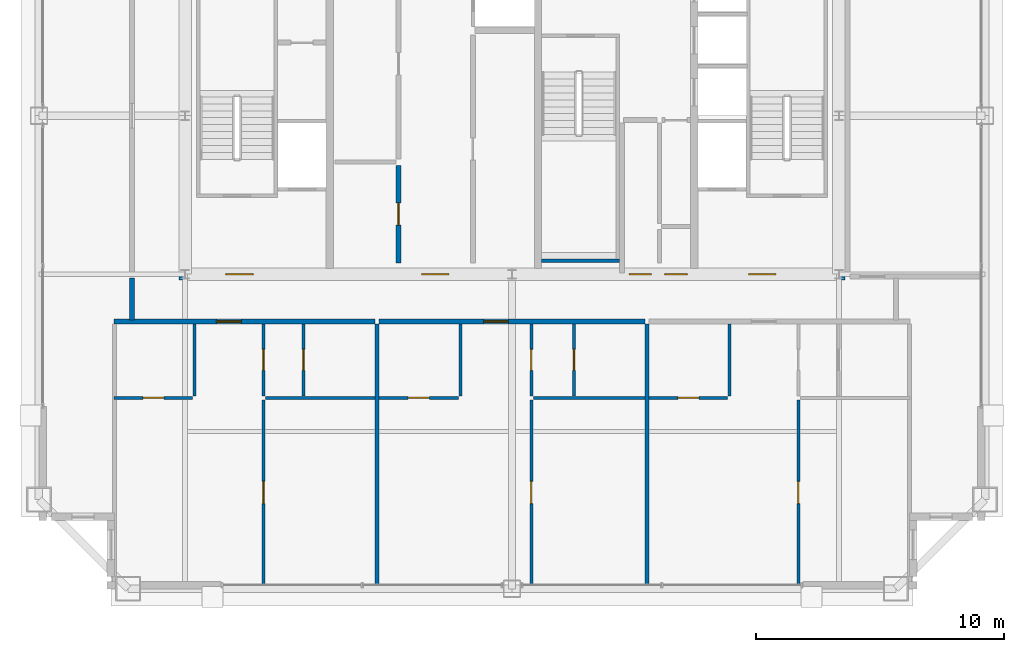
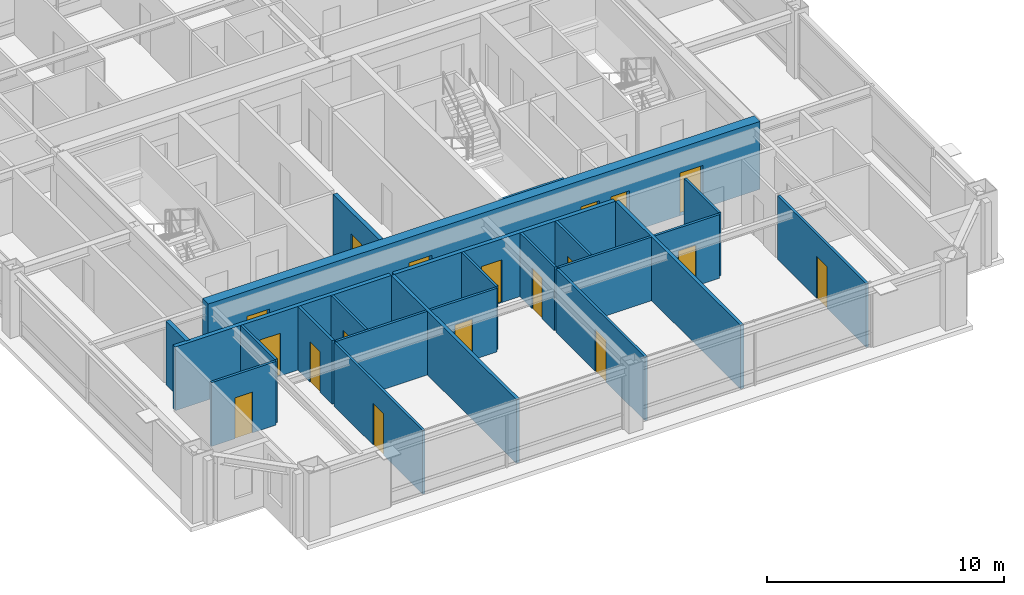
# One storey, part 30 of 35: 23 walls, 18 doors, 18 openings.
"""IFC4 building model written with IfcOpenShell, lengths in metres."""

import ifcopenshell
import ifcopenshell.guid

model = None  # the IFC model being written
_history = None  # IfcOwnerHistory: only IFC2X3 demands one
_inside = {}  # id of a spatial element -> (the spatial element, [elements in it])
_under = {}  # id of a project, library or spatial element -> (it, [spatial elements below it])
_declared = {}  # id of a project -> (the project, [libraries it declares])
_typed = {}  # id of a type object -> (the type object, [elements of that type])
_made_of = {}  # id of a material, layer set ... -> (it, [elements and type objects made of it])


def new_model(schema):
    """Start an empty IFC model of exactly this schema.

    Asked for "IFC4X3", IfcOpenShell would pick the latest addendum, in which some entities
    have other attributes; the version numbers below select the first issue.
    IFC2X3 requires an IfcOwnerHistory on every rooted entity: one is made here for all.
    """
    global model, _history
    if schema == "IFC4X3":
        model = ifcopenshell.file(schema_version=(4, 3, 0, 0))
    else:
        model = ifcopenshell.file(schema=schema)
    _inside.clear()
    _under.clear()
    _declared.clear()
    _typed.clear()
    _made_of.clear()
    _history = None
    if model.schema == "IFC2X3":
        org = make("IfcOrganization", Name="unknown")
        user = make(
            "IfcPersonAndOrganization",
            ThePerson=make("IfcPerson", FamilyName="unknown"),
            TheOrganization=org,
        )
        app = make(
            "IfcApplication",
            ApplicationDeveloper=org,
            Version="unknown",
            ApplicationFullName="unknown",
            ApplicationIdentifier="unknown",
        )
        _history = make(
            "IfcOwnerHistory",
            OwningUser=user,
            OwningApplication=app,
            ChangeAction="ADDED",
            CreationDate=0,
        )
    return model


def make(cls, **values):
    """One entity of the class cls with the attributes given. An attribute that is None is left unset."""
    return model.create_entity(
        cls, **{name: value for name, value in values.items() if value is not None}
    )


def rooted(cls, **values):
    """An entity with a GlobalId (a new one), such as an element, a storey or a relation."""
    return make(cls, GlobalId=ifcopenshell.guid.new(), OwnerHistory=_history, **values)


def si_unit(unit_type, name, prefix=None):
    """IfcSIUnit, for example si_unit("LENGTHUNIT", "METRE", prefix="MILLI")."""
    return make("IfcSIUnit", UnitType=unit_type, Prefix=prefix, Name=name)


def assignment(units):
    """IfcUnitAssignment: the units of a project."""
    return None if units is None else make("IfcUnitAssignment", Units=units)


def point(xyz):
    """IfcCartesianPoint."""
    return None if xyz is None else make("IfcCartesianPoint", Coordinates=xyz)


def direction(xyz):
    """IfcDirection."""
    return None if xyz is None else make("IfcDirection", DirectionRatios=xyz)


def frame(location, z_axis=None, x_axis=None):
    """IfcAxis2Placement3D, a coordinate frame: its origin and axes. An axis left out is left unset."""
    return make(
        "IfcAxis2Placement3D",
        Location=point(location),
        Axis=direction(z_axis),
        RefDirection=direction(x_axis),
    )


def frame_2d(location, x_axis=None):
    """IfcAxis2Placement2D, a coordinate frame in the plane: its origin and x axis."""
    return make(
        "IfcAxis2Placement2D", Location=point(location), RefDirection=direction(x_axis)
    )


def origin():
    """The frame at (0, 0, 0) with its axes left unset."""
    return frame((0.0, 0.0, 0.0))


def place(relative_to, where):
    """IfcLocalPlacement: puts the frame where relative to a parent placement (None: the world)."""
    return make(
        "IfcLocalPlacement", PlacementRelTo=relative_to, RelativePlacement=where
    )


def context(
    kind, dimensions, precision=None, world=None, true_north=None, identifier=None
):
    """IfcGeometricRepresentationContext, for example the 3D "Model" context."""
    return make(
        "IfcGeometricRepresentationContext",
        ContextIdentifier=identifier,
        ContextType=kind,
        CoordinateSpaceDimension=dimensions,
        Precision=precision,
        WorldCoordinateSystem=world,
        TrueNorth=true_north,
    )


def subcontext(parent, identifier, kind, view, scale=None):
    """IfcGeometricRepresentationSubContext, for example "Body" below "Model"."""
    return make(
        "IfcGeometricRepresentationSubContext",
        ContextIdentifier=identifier,
        ContextType=kind,
        ParentContext=parent,
        TargetScale=scale,
        TargetView=view,
    )


def project(units=None, contexts=None):
    """IfcProject with its units and contexts."""
    return rooted(
        "IfcProject",
        Name="project",
        RepresentationContexts=contexts,
        UnitsInContext=assignment(units),
    )


def spatial(cls, under=None, at=None, **own):
    """A site, building, storey or space (cls), placed at a placement, below another one or the project."""
    s = rooted(cls, ObjectPlacement=at, **own)
    if under is not None:
        _under.setdefault(under.id(), (under, []))[1].append(s)
    return s


def profile(cls, at=None, kind="AREA", **sizes):
    """A parametric profile (cls). Its sizes go by their IFC names, for example OverallWidth=200.0."""
    return make(cls, ProfileType=kind, Position=at, **sizes)


def rectangle(**sizes):
    """IfcRectangleProfileDef."""
    return profile("IfcRectangleProfileDef", **sizes)


def extrude(swept, where, along, depth):
    """IfcExtrudedAreaSolid: the profile swept, set in the frame where, extruded along a direction by depth."""
    return make(
        "IfcExtrudedAreaSolid",
        SweptArea=swept,
        Position=where,
        ExtrudedDirection=direction(along),
        Depth=depth,
    )


def shape(context_of_items, identifier, shape_type, items):
    """IfcShapeRepresentation: the items that make up one representation, for example the "Body"."""
    return make(
        "IfcShapeRepresentation",
        ContextOfItems=context_of_items,
        RepresentationIdentifier=identifier,
        RepresentationType=shape_type,
        Items=items,
    )


def source(mapping_origin, context_of_items, identifier, shape_type, items):
    """IfcRepresentationMap: a shape defined once, which mapped items show again and again."""
    return make(
        "IfcRepresentationMap",
        MappingOrigin=mapping_origin,
        MappedRepresentation=shape(context_of_items, identifier, shape_type, items),
    )


def transform(
    local_origin,
    x_axis=None,
    y_axis=None,
    z_axis=None,
    scale=None,
    scale2=None,
    scale3=None,
    uniform=True,
):
    """IfcCartesianTransformationOperator3D, or its non-uniform kind. x_axis, y_axis, z_axis: its Axis1, 2, 3."""
    if uniform:
        return make(
            "IfcCartesianTransformationOperator3D",
            Axis1=direction(x_axis),
            Axis2=direction(y_axis),
            LocalOrigin=point(local_origin),
            Scale=scale,
            Axis3=direction(z_axis),
        )
    return make(
        "IfcCartesianTransformationOperator3DnonUniform",
        Axis1=direction(x_axis),
        Axis2=direction(y_axis),
        LocalOrigin=point(local_origin),
        Scale=scale,
        Axis3=direction(z_axis),
        Scale2=scale2,
        Scale3=scale3,
    )


def mapped(mapping_source, mapping_target):
    """IfcMappedItem: shows the shape of a source again, moved by a transform."""
    return make(
        "IfcMappedItem", MappingSource=mapping_source, MappingTarget=mapping_target
    )


def material(Name=None, Category=None):
    """IfcMaterial."""
    return make("IfcMaterial", Name=Name, Category=Category)


def layer(
    of_material, thickness, ventilated=None, Name=None, Category=None, Priority=None
):
    """IfcMaterialLayer: one layer of a wall or slab, of a material (None: an air gap)."""
    return make(
        "IfcMaterialLayer",
        Material=of_material,
        LayerThickness=thickness,
        IsVentilated=ventilated,
        Name=Name,
        Category=Category,
        Priority=Priority,
    )


def layer_set(layers, Name=None):
    """IfcMaterialLayerSet."""
    return make("IfcMaterialLayerSet", MaterialLayers=layers, LayerSetName=Name)


def made_of(thing, what):
    """Note that an element or type object is made of a material, layer set ...; save() writes the relation."""
    if what is not None:
        _made_of.setdefault(what.id(), (what, []))[1].append(thing)
    return thing


def type_object(cls, material=None, **own):
    """A type object (cls), such as IfcWallType, which elements share."""
    return made_of(rooted(cls, **own), material)


def element(
    cls,
    number,
    at=None,
    inside=None,
    cuts=None,
    type_object=None,
    material=None,
    context=None,
    identifier="Body",
    shape_type=None,
    held_by="IfcProductDefinitionShape",
    body=None,
    shapes=None,
    **own,
):
    """One element of the class cls, such as IfcWall. Its Tag is "e" and its number.

    at: its placement. inside: the storey or other place that contains it. cuts: it is an
    opening in that element (IfcRelVoidsElement). A single representation is given by context,
    identifier, shape_type and body (its items); several are given by shapes. held_by: the class
    of the entity that holds the representations. save() writes the other relations.
    """
    e = rooted(cls, Tag="e%d" % number, ObjectPlacement=at, **own)
    if body is not None:
        shapes = [shape(context, identifier, shape_type, body)]
    if shapes is not None:
        e.Representation = make(held_by, Representations=shapes)
    if inside is not None:
        _inside.setdefault(inside.id(), (inside, []))[1].append(e)
    if cuts is not None:
        rooted(
            "IfcRelVoidsElement", RelatingBuildingElement=cuts, RelatedOpeningElement=e
        )
    if type_object is not None:
        _typed.setdefault(type_object.id(), (type_object, []))[1].append(e)
    return made_of(e, material)


def fill(opening, filler):
    """IfcRelFillsElement: the door or window that sits in an opening."""
    return rooted(
        "IfcRelFillsElement",
        RelatingOpeningElement=opening,
        RelatedBuildingElement=filler,
    )


def aggregate(whole, parts):
    """IfcRelAggregates: a whole, such as a stair, and the parts it consists of."""
    return rooted("IfcRelAggregates", RelatingObject=whole, RelatedObjects=parts)


def save(model, path):
    """Write the relations noted so far, then the file.

    IfcRelAggregates (storeys below a building ...), IfcRelContainedInSpatialStructure (elements
    in a storey), IfcRelDefinesByType, IfcRelAssociatesMaterial and IfcRelDeclares: one each for
    every whole, place, type object, material and project.
    """
    for whole, parts in _under.values():
        aggregate(whole, parts)
    for where, things in _inside.values():
        rooted(
            "IfcRelContainedInSpatialStructure",
            RelatedElements=things,
            RelatingStructure=where,
        )
    for kind, things in _typed.values():
        rooted("IfcRelDefinesByType", RelatedObjects=things, RelatingType=kind)
    for what, things in _made_of.values():
        rooted("IfcRelAssociatesMaterial", RelatedObjects=things, RelatingMaterial=what)
    for by, libraries in _declared.values():
        rooted("IfcRelDeclares", RelatingContext=by, RelatedDefinitions=libraries)
    model.write(path)


model = new_model("IFC4")

# Units and contexts
model_context = context("Model", 3, precision=1e-05, world=origin(), true_north=direction((0.0, 1.0)))
body_context = subcontext(model_context, "Body", "Model", "MODEL_VIEW")
ifc_project = project(units=[si_unit("LENGTHUNIT", "METRE"), si_unit("AREAUNIT", "SQUARE_METRE"), si_unit("VOLUMEUNIT", "CUBIC_METRE"), si_unit("PLANEANGLEUNIT", "RADIAN"), si_unit("MASSUNIT", "GRAM", prefix="KILO"), si_unit("THERMODYNAMICTEMPERATUREUNIT", "KELVIN"), si_unit("POWERUNIT", "WATT")], contexts=[model_context])

# Site, building, storey
site_placement = place(None, origin())
site = spatial("IfcSite", under=ifc_project, at=site_placement, CompositionType="ELEMENT")
building_placement = place(site_placement, origin())
building = spatial("IfcBuilding", under=site, at=building_placement, Name="Yuzanri Waterfront Tower", CompositionType="ELEMENT")
storey_placement = place(building_placement, frame((0.0, 0.0, 289.10009765625)))
storey = spatial("IfcBuildingStorey", under=building, at=storey_placement, Name="L77", CompositionType="ELEMENT", Elevation=289.10009765625)

# Wall, opening, door
ifc_material_1 = material(Name="Moisture-Resistant Gypsum Stud Wall", Category="gypsum")
ifc_layer_1 = layer(ifc_material_1, 0.1201171875)
ifc_layer_set_1 = layer_set([ifc_layer_1], Name="Moisture-Resistant Gypsum Stud Wall")
wall_type_1 = type_object("IfcWallType", Name="Bathroom and Kitchen Wet Partition 120", PredefinedType="PARTITIONING", material=ifc_layer_set_1)
wall_1_placement = place(storey_placement, frame((20.93994140625, 14.409912109375, 0.0), z_axis=(0.0, 0.0, 1.0), x_axis=(1.0, 0.0, 0.0)))
wall_1 = element("IfcWall", 1, at=wall_1_placement, inside=storey, type_object=wall_type_1, Name="L77 Partition UW-L77-HS1-SUB-1-S", PredefinedType="PARTITIONING", context=body_context, shape_type="SweptSolid", body=[
    extrude(rectangle(XDim=3.156005859375, YDim=0.1201171875, at=frame_2d((1.578125, 0.0))), origin(), (0.0, 0.0, 1.0), 3.27978515625),
])
opening_1_placement = place(wall_1_placement, frame((1.153076171875, 0.0, 0.0)))
opening_1 = element("IfcOpeningElement", 2, at=opening_1_placement, cuts=wall_1, Name="Opening ID-0850", PredefinedType="OPENING", context=body_context, shape_type="SweptSolid", body=[
    extrude(rectangle(XDim=0.85009765625, YDim=2.10009765625, at=frame_2d((0.425048828125, 1.050048828125))), frame((0.0, 0.074951171875, 0.0), z_axis=(0.0, -1.0, 0.0), x_axis=(1.0, 0.0, 0.0)), (0.0, 0.0, 1.0), 0.14990234375),
])
ifc_material_2 = material(Name="Moisture-Resistant Lacquered Timber", Category="wood")
door_type_1 = type_object("IfcDoorType", Name="En-Suite Bathroom and Kitchen Swing Door 850x2100", OperationType="NOTDEFINED", PredefinedType="DOOR", material=ifc_material_2)
shared_shape_1 = source(origin(), body_context, "Body", "SweptSolid", [
    extrude(rectangle(XDim=0.85009765625, YDim=2.10009765625, at=frame_2d((0.425048828125, 1.050048828125))), frame((0.0, 0.02490234375, 0.0), z_axis=(0.0, -1.0, 0.0), x_axis=(1.0, 0.0, 0.0)), (0.0, 0.0, 1.0), 0.050048828125),
])
door_1_placement = place(opening_1_placement, origin())
door_1 = element("IfcDoor", 3, at=door_1_placement, inside=storey, type_object=door_type_1, Name="L77 Suite Interior Room Door", OperationType="SINGLE_SWING_RIGHT", OverallHeight=2.10009765625, OverallWidth=0.85009765625, PredefinedType="DOOR", context=body_context, shape_type="MappedRepresentation", body=[
    mapped(shared_shape_1, transform((0.0, 0.0, 0.0), scale=1.0)),
])
fill(opening_1, door_1)

wall_2_placement = place(storey_placement, frame((28.580078125, 14.489990234375, 0.0), z_axis=(0.0, 0.0, 1.0), x_axis=(0.0, 1.0, 0.0)))
wall_2 = element("IfcWall", 4, at=wall_2_placement, inside=storey, type_object=wall_type_1, Name="L77 Partition UW-L77-HS1-SUB-2-W", PredefinedType="PARTITIONING", context=body_context, shape_type="SweptSolid", body=[
    extrude(rectangle(XDim=2.89990234375, YDim=0.1201171875, at=frame_2d((1.449951171875, 0.0))), origin(), (0.0, 0.0, 1.0), 3.27978515625),
])
opening_2_placement = place(wall_2_placement, frame((1.02490234375, 0.0, 0.0)))
opening_2 = element("IfcOpeningElement", 5, at=opening_2_placement, cuts=wall_2, Name="Opening ID-0850", PredefinedType="OPENING", context=body_context, shape_type="SweptSolid", body=[
    extrude(rectangle(XDim=0.85009765625, YDim=2.10009765625, at=frame_2d((0.425048828125, 1.050048828125))), frame((0.0, 0.074951171875, 0.0), z_axis=(0.0, -1.0, 0.0), x_axis=(1.0, 0.0, 0.0)), (0.0, 0.0, 1.0), 0.14990234375),
])
door_2_placement = place(opening_2_placement, origin())
door_2 = element("IfcDoor", 6, at=door_2_placement, inside=storey, type_object=door_type_1, Name="L77 Suite Interior Room Door", OperationType="SINGLE_SWING_LEFT", OverallHeight=2.10009765625, OverallWidth=0.85009765625, PredefinedType="DOOR", context=body_context, shape_type="MappedRepresentation", body=[
    mapped(shared_shape_1, transform((0.0, 0.0, 0.0), scale=1.0)),
])
fill(opening_2, door_2)

wall_3_placement = place(storey_placement, frame((26.9619140625, 6.85009765625, 0.0), z_axis=(0.0, 0.0, 1.0), x_axis=(0.0, 1.0, 0.0)))
wall_3 = element("IfcWall", 7, at=wall_3_placement, inside=storey, type_object=wall_type_1, Name="L77 Partition UW-L77-HS1-SUB-3-W", PredefinedType="PARTITIONING", context=body_context, shape_type="SweptSolid", body=[
    extrude(rectangle(XDim=7.47998046875, YDim=0.1201171875, at=frame_2d((3.739990234375, 0.0))), origin(), (0.0, 0.0, 1.0), 3.27978515625),
])
opening_3_placement = place(wall_3_placement, frame((3.2900390625, 0.0, 0.0)))
opening_3 = element("IfcOpeningElement", 8, at=opening_3_placement, cuts=wall_3, Name="Opening ID-0900", PredefinedType="OPENING", context=body_context, shape_type="SweptSolid", body=[
    extrude(rectangle(XDim=0.89990234375, YDim=2.14990234375, at=frame_2d((0.449951171875, 1.074951171875))), frame((0.0, 0.074951171875, 0.0), z_axis=(0.0, -1.0, 0.0), x_axis=(1.0, 0.0, 0.0)), (0.0, 0.0, 1.0), 0.14990234375),
])
ifc_material_3 = material(Name="Stained Walnut Veneer Timber", Category="wood")
door_type_2 = type_object("IfcDoorType", Name="Bedroom and Study Interior Swing Door 900x2150", OperationType="NOTDEFINED", PredefinedType="DOOR", material=ifc_material_3)
shared_shape_2 = source(origin(), body_context, "Body", "SweptSolid", [
    extrude(rectangle(XDim=0.89990234375, YDim=2.14990234375, at=frame_2d((0.449951171875, 1.074951171875))), frame((0.0, 0.02490234375, 0.0), z_axis=(0.0, -1.0, 0.0), x_axis=(1.0, 0.0, 0.0)), (0.0, 0.0, 1.0), 0.050048828125),
])
door_3_placement = place(opening_3_placement, origin())
door_3 = element("IfcDoor", 9, at=door_3_placement, inside=storey, type_object=door_type_2, Name="L77 Suite Interior Room Door", OperationType="SINGLE_SWING_RIGHT", OverallHeight=2.14990234375, OverallWidth=0.89990234375, PredefinedType="DOOR", context=body_context, shape_type="MappedRepresentation", body=[
    mapped(shared_shape_2, transform((0.0, 0.0, 0.0), scale=1.0)),
])
fill(opening_3, door_3)

wall_4_placement = place(storey_placement, frame((26.9619140625, 14.489990234375, 0.0), z_axis=(0.0, 0.0, 1.0), x_axis=(0.0, 1.0, 0.0)))
wall_4 = element("IfcWall", 10, at=wall_4_placement, inside=storey, type_object=wall_type_1, Name="L77 Partition UW-L77-HS1-SUB-4-W", PredefinedType="PARTITIONING", context=body_context, shape_type="SweptSolid", body=[
    extrude(rectangle(XDim=2.89990234375, YDim=0.1201171875, at=frame_2d((1.449951171875, 0.0))), origin(), (0.0, 0.0, 1.0), 3.27978515625),
])
opening_4_placement = place(wall_4_placement, frame((1.02490234375, 0.0, 0.0)))
opening_4 = element("IfcOpeningElement", 11, at=opening_4_placement, cuts=wall_4, Name="Opening ID-0850", PredefinedType="OPENING", context=body_context, shape_type="SweptSolid", body=[
    extrude(rectangle(XDim=0.85009765625, YDim=2.10009765625, at=frame_2d((0.425048828125, 1.050048828125))), frame((0.0, 0.074951171875, 0.0), z_axis=(0.0, -1.0, 0.0), x_axis=(1.0, 0.0, 0.0)), (0.0, 0.0, 1.0), 0.14990234375),
])
door_4_placement = place(opening_4_placement, origin())
door_4 = element("IfcDoor", 12, at=door_4_placement, inside=storey, type_object=door_type_1, Name="L77 Suite Interior Room Door", OperationType="SINGLE_SWING_LEFT", OverallHeight=2.10009765625, OverallWidth=0.85009765625, PredefinedType="DOOR", context=body_context, shape_type="MappedRepresentation", body=[
    mapped(shared_shape_1, transform((0.0, 0.0, 0.0), scale=1.0)),
])
fill(opening_4, door_4)

wall_5_placement = place(storey_placement, frame((31.6201171875, 14.409912109375, 0.0), z_axis=(0.0, 0.0, 1.0), x_axis=(1.0, 0.0, 0.0)))
wall_5 = element("IfcWall", 13, at=wall_5_placement, inside=storey, type_object=wall_type_1, Name="L77 Partition UW-L77-HS2-SUB-1-S", PredefinedType="PARTITIONING", context=body_context, shape_type="SweptSolid", body=[
    extrude(rectangle(XDim=3.227783203125, YDim=0.1201171875, at=frame_2d((1.61376953125, 0.0))), origin(), (0.0, 0.0, 1.0), 3.27978515625),
])
opening_5_placement = place(wall_5_placement, frame((1.18896484375, 0.0, 0.0)))
opening_5 = element("IfcOpeningElement", 14, at=opening_5_placement, cuts=wall_5, Name="Opening ID-0850", PredefinedType="OPENING", context=body_context, shape_type="SweptSolid", body=[
    extrude(rectangle(XDim=0.85009765625, YDim=2.10009765625, at=frame_2d((0.425048828125, 1.050048828125))), frame((0.0, 0.074951171875, 0.0), z_axis=(0.0, -1.0, 0.0), x_axis=(1.0, 0.0, 0.0)), (0.0, 0.0, 1.0), 0.14990234375),
])
door_5_placement = place(opening_5_placement, origin())
door_5 = element("IfcDoor", 15, at=door_5_placement, inside=storey, type_object=door_type_1, Name="L77 Suite Interior Room Door", OperationType="SINGLE_SWING_LEFT", OverallHeight=2.10009765625, OverallWidth=0.85009765625, PredefinedType="DOOR", context=body_context, shape_type="MappedRepresentation", body=[
    mapped(shared_shape_1, transform((0.0, 0.0, 0.0), scale=1.0)),
])
fill(opening_5, door_5)

wall_6_placement = place(storey_placement, frame((39.5, 14.489990234375, 0.0), z_axis=(0.0, 0.0, 1.0), x_axis=(0.0, 1.0, 0.0)))
wall_6 = element("IfcWall", 16, at=wall_6_placement, inside=storey, type_object=wall_type_1, Name="L77 Partition UW-L77-HS2-SUB-2-W", PredefinedType="PARTITIONING", context=body_context, shape_type="SweptSolid", body=[
    extrude(rectangle(XDim=2.89990234375, YDim=0.1201171875, at=frame_2d((1.449951171875, 0.0))), origin(), (0.0, 0.0, 1.0), 3.27978515625),
])
opening_6_placement = place(wall_6_placement, frame((1.02490234375, 0.0, 0.0)))
opening_6 = element("IfcOpeningElement", 17, at=opening_6_placement, cuts=wall_6, Name="Opening ID-0850", PredefinedType="OPENING", context=body_context, shape_type="SweptSolid", body=[
    extrude(rectangle(XDim=0.85009765625, YDim=2.10009765625, at=frame_2d((0.425048828125, 1.050048828125))), frame((0.0, 0.074951171875, 0.0), z_axis=(0.0, -1.0, 0.0), x_axis=(1.0, 0.0, 0.0)), (0.0, 0.0, 1.0), 0.14990234375),
])
door_6_placement = place(opening_6_placement, origin())
door_6 = element("IfcDoor", 18, at=door_6_placement, inside=storey, type_object=door_type_1, Name="L77 Suite Interior Room Door", OperationType="SINGLE_SWING_RIGHT", OverallHeight=2.10009765625, OverallWidth=0.85009765625, PredefinedType="DOOR", context=body_context, shape_type="MappedRepresentation", body=[
    mapped(shared_shape_1, transform((0.0, 0.0, 0.0), scale=1.0)),
])
fill(opening_6, door_6)

wall_7_placement = place(storey_placement, frame((37.781005859375, 6.85009765625, 0.0), z_axis=(0.0, 0.0, 1.0), x_axis=(0.0, 1.0, 0.0)))
wall_7 = element("IfcWall", 19, at=wall_7_placement, inside=storey, type_object=wall_type_1, Name="L77 Partition UW-L77-HS2-SUB-3-W", PredefinedType="PARTITIONING", context=body_context, shape_type="SweptSolid", body=[
    extrude(rectangle(XDim=7.47998046875, YDim=0.1201171875, at=frame_2d((3.739990234375, 0.0))), origin(), (0.0, 0.0, 1.0), 3.27978515625),
])
opening_7_placement = place(wall_7_placement, frame((3.2900390625, 0.0, 0.0)))
opening_7 = element("IfcOpeningElement", 20, at=opening_7_placement, cuts=wall_7, Name="Opening ID-0900", PredefinedType="OPENING", context=body_context, shape_type="SweptSolid", body=[
    extrude(rectangle(XDim=0.89990234375, YDim=2.14990234375, at=frame_2d((0.449951171875, 1.074951171875))), frame((0.0, 0.074951171875, 0.0), z_axis=(0.0, -1.0, 0.0), x_axis=(1.0, 0.0, 0.0)), (0.0, 0.0, 1.0), 0.14990234375),
])
door_7_placement = place(opening_7_placement, origin())
door_7 = element("IfcDoor", 21, at=door_7_placement, inside=storey, type_object=door_type_2, Name="L77 Suite Interior Room Door", OperationType="SINGLE_SWING_LEFT", OverallHeight=2.14990234375, OverallWidth=0.89990234375, PredefinedType="DOOR", context=body_context, shape_type="MappedRepresentation", body=[
    mapped(shared_shape_2, transform((0.0, 0.0, 0.0), scale=1.0)),
])
fill(opening_7, door_7)

wall_8_placement = place(storey_placement, frame((37.781005859375, 14.489990234375, 0.0), z_axis=(0.0, 0.0, 1.0), x_axis=(0.0, 1.0, 0.0)))
wall_8 = element("IfcWall", 22, at=wall_8_placement, inside=storey, type_object=wall_type_1, Name="L77 Partition UW-L77-HS2-SUB-4-W", PredefinedType="PARTITIONING", context=body_context, shape_type="SweptSolid", body=[
    extrude(rectangle(XDim=2.89990234375, YDim=0.1201171875, at=frame_2d((1.449951171875, 0.0))), origin(), (0.0, 0.0, 1.0), 3.27978515625),
])
opening_8_placement = place(wall_8_placement, frame((1.02490234375, 0.0, 0.0)))
opening_8 = element("IfcOpeningElement", 23, at=opening_8_placement, cuts=wall_8, Name="Opening ID-0850", PredefinedType="OPENING", context=body_context, shape_type="SweptSolid", body=[
    extrude(rectangle(XDim=0.85009765625, YDim=2.10009765625, at=frame_2d((0.425048828125, 1.050048828125))), frame((0.0, 0.074951171875, 0.0), z_axis=(0.0, -1.0, 0.0), x_axis=(1.0, 0.0, 0.0)), (0.0, 0.0, 1.0), 0.14990234375),
])
door_8_placement = place(opening_8_placement, origin())
door_8 = element("IfcDoor", 24, at=door_8_placement, inside=storey, type_object=door_type_1, Name="L77 Suite Interior Room Door", OperationType="SINGLE_SWING_RIGHT", OverallHeight=2.10009765625, OverallWidth=0.85009765625, PredefinedType="DOOR", context=body_context, shape_type="MappedRepresentation", body=[
    mapped(shared_shape_1, transform((0.0, 0.0, 0.0), scale=1.0)),
])
fill(opening_8, door_8)

wall_9_placement = place(storey_placement, frame((42.5400390625, 14.409912109375, 0.0), z_axis=(0.0, 0.0, 1.0), x_axis=(1.0, 0.0, 0.0)))
wall_9 = element("IfcWall", 25, at=wall_9_placement, inside=storey, type_object=wall_type_1, Name="L77 Partition UW-L77-HS3-SUB-1-S", PredefinedType="PARTITIONING", context=body_context, shape_type="SweptSolid", body=[
    extrude(rectangle(XDim=3.156005859375, YDim=0.1201171875, at=frame_2d((1.578125, 0.0))), origin(), (0.0, 0.0, 1.0), 3.27978515625),
])
opening_9_placement = place(wall_9_placement, frame((1.153076171875, 0.0, 0.0)))
opening_9 = element("IfcOpeningElement", 26, at=opening_9_placement, cuts=wall_9, Name="Opening ID-0850", PredefinedType="OPENING", context=body_context, shape_type="SweptSolid", body=[
    extrude(rectangle(XDim=0.85009765625, YDim=2.10009765625, at=frame_2d((0.425048828125, 1.050048828125))), frame((0.0, 0.074951171875, 0.0), z_axis=(0.0, -1.0, 0.0), x_axis=(1.0, 0.0, 0.0)), (0.0, 0.0, 1.0), 0.14990234375),
])
door_9_placement = place(opening_9_placement, origin())
door_9 = element("IfcDoor", 27, at=door_9_placement, inside=storey, type_object=door_type_1, Name="L77 Suite Interior Room Door", OperationType="SINGLE_SWING_RIGHT", OverallHeight=2.10009765625, OverallWidth=0.85009765625, PredefinedType="DOOR", context=body_context, shape_type="MappedRepresentation", body=[
    mapped(shared_shape_1, transform((0.0, 0.0, 0.0), scale=1.0)),
])
fill(opening_9, door_9)

wall_10_placement = place(storey_placement, frame((48.56201171875, 6.85009765625, 0.0), z_axis=(0.0, 0.0, 1.0), x_axis=(0.0, 1.0, 0.0)))
wall_10 = element("IfcWall", 28, at=wall_10_placement, inside=storey, type_object=wall_type_1, Name="L77 Partition UW-L77-HS3-SUB-3-W", PredefinedType="PARTITIONING", context=body_context, shape_type="SweptSolid", body=[
    extrude(rectangle(XDim=7.47998046875, YDim=0.1201171875, at=frame_2d((3.739990234375, 0.0))), origin(), (0.0, 0.0, 1.0), 3.27978515625),
])
opening_10_placement = place(wall_10_placement, frame((3.2900390625, 0.0, 0.0)))
opening_10 = element("IfcOpeningElement", 29, at=opening_10_placement, cuts=wall_10, Name="Opening ID-0900", PredefinedType="OPENING", context=body_context, shape_type="SweptSolid", body=[
    extrude(rectangle(XDim=0.89990234375, YDim=2.14990234375, at=frame_2d((0.449951171875, 1.074951171875))), frame((0.0, 0.074951171875, 0.0), z_axis=(0.0, -1.0, 0.0), x_axis=(1.0, 0.0, 0.0)), (0.0, 0.0, 1.0), 0.14990234375),
])
door_10_placement = place(opening_10_placement, origin())
door_10 = element("IfcDoor", 30, at=door_10_placement, inside=storey, type_object=door_type_2, Name="L77 Suite Interior Room Door", OperationType="SINGLE_SWING_RIGHT", OverallHeight=2.14990234375, OverallWidth=0.89990234375, PredefinedType="DOOR", context=body_context, shape_type="MappedRepresentation", body=[
    mapped(shared_shape_2, transform((0.0, 0.0, 0.0), scale=1.0)),
])
fill(opening_10, door_10)

# Wall, openings, doors
ifc_material_4 = material(Name="Concrete C45", Category="concrete")
ifc_layer_2 = layer(ifc_material_4, 0.47998046875)
ifc_layer_set_2 = layer_set([ifc_layer_2], Name="Concrete C45")
wall_type_2 = type_object("IfcWallType", Name="Concrete C45 High-Rise Core Shear Wall 480", PredefinedType="SHEAR", material=ifc_layer_set_2)
wall_11_placement = place(storey_placement, frame((23.56005859375, 19.39990234375, 0.0), z_axis=(0.0, 0.0, 1.0), x_axis=(1.0, 0.0, 0.0)))
wall_11 = element("IfcWall", 31, at=wall_11_placement, inside=storey, type_object=wall_type_2, Name="L77 Core South Shear Wall", PredefinedType="SHEAR", context=body_context, shape_type="SweptSolid", body=[
    extrude(rectangle(XDim=26.8798828125, YDim=0.47998046875, at=frame_2d((13.43994140625, 0.0))), origin(), (0.0, 0.0, 1.0), 3.5),
])
opening_11_placement = place(wall_11_placement, frame((1.889892578125, 0.0, 0.0)))
opening_11 = element("IfcOpeningElement", 32, at=opening_11_placement, cuts=wall_11, Name="Opening FD-1100", PredefinedType="OPENING", context=body_context, shape_type="SweptSolid", body=[
    extrude(rectangle(XDim=1.10009765625, YDim=2.199951171875, at=frame_2d((0.550048828125, 1.10009765625))), frame((0.0, 0.2548828125, 0.0), z_axis=(0.0, -1.0, 0.0), x_axis=(1.0, 0.0, 0.0)), (0.0, 0.0, 1.0), 0.509765625),
])
opening_12_placement = place(wall_11_placement, frame((9.7900390625, 0.0, 0.0)))
opening_12 = element("IfcOpeningElement", 33, at=opening_12_placement, cuts=wall_11, Name="Opening FD-1100", PredefinedType="OPENING", context=body_context, shape_type="SweptSolid", body=[
    extrude(rectangle(XDim=1.10009765625, YDim=2.199951171875, at=frame_2d((0.550048828125, 1.10009765625))), frame((0.0, 0.2548828125, 0.0), z_axis=(0.0, -1.0, 0.0), x_axis=(1.0, 0.0, 0.0)), (0.0, 0.0, 1.0), 0.509765625),
])
opening_13_placement = place(wall_11_placement, frame((22.989990234375, 0.0, 0.0)))
opening_13 = element("IfcOpeningElement", 34, at=opening_13_placement, cuts=wall_11, Name="Opening FD-1100", PredefinedType="OPENING", context=body_context, shape_type="SweptSolid", body=[
    extrude(rectangle(XDim=1.10009765625, YDim=2.199951171875, at=frame_2d((0.550048828125, 1.10009765625))), frame((0.0, 0.2548828125, 0.0), z_axis=(0.0, -1.0, 0.0), x_axis=(1.0, 0.0, 0.0)), (0.0, 0.0, 1.0), 0.509765625),
])
opening_14_placement = place(wall_11_placement, frame((19.610107421875, 0.0, 0.0)))
opening_14 = element("IfcOpeningElement", 35, at=opening_14_placement, cuts=wall_11, Name="Opening FD-0900", PredefinedType="OPENING", context=body_context, shape_type="SweptSolid", body=[
    extrude(rectangle(XDim=0.89990234375, YDim=2.14990234375, at=frame_2d((0.449951171875, 1.074951171875))), frame((0.0, 0.2548828125, 0.0), z_axis=(0.0, -1.0, 0.0), x_axis=(1.0, 0.0, 0.0)), (0.0, 0.0, 1.0), 0.509765625),
])
opening_15_placement = place(wall_11_placement, frame((18.169921875, 0.0, 0.0)))
opening_15 = element("IfcOpeningElement", 36, at=opening_15_placement, cuts=wall_11, Name="Opening FD-0900", PredefinedType="OPENING", context=body_context, shape_type="SweptSolid", body=[
    extrude(rectangle(XDim=0.89990234375, YDim=2.14990234375, at=frame_2d((0.449951171875, 1.074951171875))), frame((0.0, 0.2548828125, 0.0), z_axis=(0.0, -1.0, 0.0), x_axis=(1.0, 0.0, 0.0)), (0.0, 0.0, 1.0), 0.509765625),
])
ifc_material_5 = material(Name="Painted Galvanized Fire Steel", Category="steel")
door_type_3 = type_object("IfcDoorType", Name="Smoke-Proof Stair and Lobby Fire Door 1100x2200", OperationType="NOTDEFINED", PredefinedType="DOOR", material=ifc_material_5)
shared_shape_3 = source(origin(), body_context, "Body", "SweptSolid", [
    extrude(rectangle(XDim=1.10009765625, YDim=2.199951171875, at=frame_2d((0.550048828125, 1.10009765625))), frame((0.0, 0.02490234375, 0.0), z_axis=(0.0, -1.0, 0.0), x_axis=(1.0, 0.0, 0.0)), (0.0, 0.0, 1.0), 0.050048828125),
])
door_11_placement = place(opening_11_placement, origin())
door_11 = element("IfcDoor", 37, at=door_11_placement, inside=storey, type_object=door_type_3, Name="L77 West Firefighting Lobby Door", OperationType="SINGLE_SWING_LEFT", OverallHeight=2.199951171875, OverallWidth=1.10009765625, PredefinedType="DOOR", context=body_context, shape_type="MappedRepresentation", body=[
    mapped(shared_shape_3, transform((0.0, 0.0, 0.0), scale=1.0)),
])
fill(opening_11, door_11)
door_12_placement = place(opening_12_placement, origin())
door_12 = element("IfcDoor", 38, at=door_12_placement, inside=storey, type_object=door_type_3, Name="L77 Central Lift Lobby South Door", OperationType="SINGLE_SWING_RIGHT", OverallHeight=2.199951171875, OverallWidth=1.10009765625, PredefinedType="DOOR", context=body_context, shape_type="MappedRepresentation", body=[
    mapped(shared_shape_3, transform((0.0, 0.0, 0.0), scale=1.0)),
])
fill(opening_12, door_12)
door_13_placement = place(opening_13_placement, origin())
door_13 = element("IfcDoor", 39, at=door_13_placement, inside=storey, type_object=door_type_3, Name="L77 East Firefighting Lobby Door", OperationType="SINGLE_SWING_LEFT", OverallHeight=2.199951171875, OverallWidth=1.10009765625, PredefinedType="DOOR", context=body_context, shape_type="MappedRepresentation", body=[
    mapped(shared_shape_3, transform((0.0, 0.0, 0.0), scale=1.0)),
])
fill(opening_13, door_13)
ifc_material_6 = material(Name="Painted Galvanized Fire Steel", Category="steel")
door_type_4 = type_object("IfcDoorType", Name="Riser and Service Room Fire Door 900x2150", OperationType="NOTDEFINED", PredefinedType="DOOR", material=ifc_material_6)
shared_shape_4 = source(origin(), body_context, "Body", "SweptSolid", [
    extrude(rectangle(XDim=0.89990234375, YDim=2.14990234375, at=frame_2d((0.449951171875, 1.074951171875))), frame((0.0, 0.02490234375, 0.0), z_axis=(0.0, -1.0, 0.0), x_axis=(1.0, 0.0, 0.0)), (0.0, 0.0, 1.0), 0.050048828125),
])
door_14_placement = place(opening_14_placement, origin())
door_14 = element("IfcDoor", 40, at=door_14_placement, inside=storey, type_object=door_type_4, Name="L77 East Wet Riser Door", OperationType="SINGLE_SWING_RIGHT", OverallHeight=2.14990234375, OverallWidth=0.89990234375, PredefinedType="DOOR", context=body_context, shape_type="MappedRepresentation", body=[
    mapped(shared_shape_4, transform((0.0, 0.0, 0.0), scale=1.0)),
])
fill(opening_14, door_14)
door_15_placement = place(opening_15_placement, origin())
door_15 = element("IfcDoor", 41, at=door_15_placement, inside=storey, type_object=door_type_4, Name="L77 Cleaners Store Room", OperationType="SINGLE_SWING_LEFT", OverallHeight=2.14990234375, OverallWidth=0.89990234375, PredefinedType="DOOR", context=body_context, shape_type="MappedRepresentation", body=[
    mapped(shared_shape_4, transform((0.0, 0.0, 0.0), scale=1.0)),
])
fill(opening_15, door_15)

# Wall, opening, door
ifc_material_7 = material(Name="Autoclaved Aerated Concrete Blockwork", Category="masonry")
ifc_layer_3 = layer(ifc_material_7, 0.199951171875)
ifc_layer_set_3 = layer_set([ifc_layer_3], Name="Autoclaved Aerated Concrete Blockwork")
wall_type_3 = type_object("IfcWallType", Name="Corridor and Unit Party Fire Wall 200", PredefinedType="PARTITIONING", material=ifc_layer_set_3)
wall_12_placement = place(storey_placement, frame((32.419921875, 19.860107421875, 0.0), z_axis=(0.0, 0.0, 1.0), x_axis=(0.0, 1.0, 0.0)))
wall_12 = element("IfcWall", 42, at=wall_12_placement, inside=storey, type_object=wall_type_3, Name="L77 Partition CRW-L77-B1R-1", PredefinedType="PARTITIONING", context=body_context, shape_type="SweptSolid", body=[
    extrude(rectangle(XDim=3.93994140625, YDim=0.199951171875, at=frame_2d((1.969970703125, 0.0))), origin(), (0.0, 0.0, 1.0), 3.27978515625),
])
opening_16_placement = place(wall_12_placement, frame((1.52001953125, 0.0, 0.0)))
opening_16 = element("IfcOpeningElement", 43, at=opening_16_placement, cuts=wall_12, Name="Opening FD-0900", PredefinedType="OPENING", context=body_context, shape_type="SweptSolid", body=[
    extrude(rectangle(XDim=0.89990234375, YDim=2.14990234375, at=frame_2d((0.449951171875, 1.074951171875))), frame((0.0, 0.11474609375, 0.0), z_axis=(0.0, -1.0, 0.0), x_axis=(1.0, 0.0, 0.0)), (0.0, 0.0, 1.0), 0.229736328125),
])
door_16_placement = place(opening_16_placement, origin())
door_16 = element("IfcDoor", 44, at=door_16_placement, inside=storey, type_object=door_type_4, Name="L77 Janitor Supply Store Room", OperationType="SINGLE_SWING_LEFT", OverallHeight=2.14990234375, OverallWidth=0.89990234375, PredefinedType="DOOR", context=body_context, shape_type="MappedRepresentation", body=[
    mapped(shared_shape_4, transform((0.0, 0.0, 0.0), scale=1.0)),
])
fill(opening_16, door_16)

wall_13_placement = place(storey_placement, frame((20.93994140625, 17.489990234375, 0.0), z_axis=(0.0, 0.0, 1.0), x_axis=(1.0, 0.0, 0.0)))
wall_13 = element("IfcWall", 45, at=wall_13_placement, inside=storey, type_object=wall_type_3, Name="L77 Partition UW-L77-HS1-CN", PredefinedType="PARTITIONING", context=body_context, shape_type="SweptSolid", body=[
    extrude(rectangle(XDim=10.52001953125, YDim=0.199951171875, at=frame_2d((5.260009765625, 0.0))), origin(), (0.0, 0.0, 1.0), 3.27978515625),
])
opening_17_placement = place(wall_13_placement, frame((4.12890625, 0.0, 0.0)))
opening_17 = element("IfcOpeningElement", 46, at=opening_17_placement, cuts=wall_13, Name="Opening FD-1000", PredefinedType="OPENING", context=body_context, shape_type="SweptSolid", body=[
    extrude(rectangle(XDim=1.0, YDim=2.199951171875, at=frame_2d((0.5, 1.10009765625))), frame((0.0, 0.11474609375, 0.0), z_axis=(0.0, -1.0, 0.0), x_axis=(1.0, 0.0, 0.0)), (0.0, 0.0, 1.0), 0.229736328125),
])
ifc_material_8 = material(Name="Engineered Oak Fire-Rated Timber", Category="wood")
door_type_5 = type_object("IfcDoorType", Name="Guestroom and Apartment Entrance Fire Door 1000x2200", OperationType="NOTDEFINED", PredefinedType="DOOR", material=ifc_material_8)
shared_shape_5 = source(origin(), body_context, "Body", "SweptSolid", [
    extrude(rectangle(XDim=1.0, YDim=2.199951171875, at=frame_2d((0.5, 1.10009765625))), frame((0.0, 0.02490234375, 0.0), z_axis=(0.0, -1.0, 0.0), x_axis=(1.0, 0.0, 0.0)), (0.0, 0.0, 1.0), 0.050048828125),
])
door_17_placement = place(opening_17_placement, origin())
door_17 = element("IfcDoor", 47, at=door_17_placement, inside=storey, type_object=door_type_5, Name="L77 Apartment Living Room Entrance Door", OperationType="SINGLE_SWING_LEFT", OverallHeight=2.199951171875, OverallWidth=1.0, PredefinedType="DOOR", context=body_context, shape_type="MappedRepresentation", body=[
    mapped(shared_shape_5, transform((0.0, 0.0, 0.0), scale=1.0)),
])
fill(opening_17, door_17)

wall_14_placement = place(storey_placement, frame((31.6201171875, 17.489990234375, 0.0), z_axis=(0.0, 0.0, 1.0), x_axis=(1.0, 0.0, 0.0)))
wall_14 = element("IfcWall", 48, at=wall_14_placement, inside=storey, type_object=wall_type_3, Name="L77 Partition UW-L77-HS2-CN", PredefinedType="PARTITIONING", context=body_context, shape_type="SweptSolid", body=[
    extrude(rectangle(XDim=10.759765625, YDim=0.199951171875, at=frame_2d((5.3798828125, 0.0))), origin(), (0.0, 0.0, 1.0), 3.27978515625),
])
opening_18_placement = place(wall_14_placement, frame((4.235107421875, 0.0, 0.0)))
opening_18 = element("IfcOpeningElement", 49, at=opening_18_placement, cuts=wall_14, Name="Opening FD-1000", PredefinedType="OPENING", context=body_context, shape_type="SweptSolid", body=[
    extrude(rectangle(XDim=1.0, YDim=2.199951171875, at=frame_2d((0.5, 1.10009765625))), frame((0.0, 0.11474609375, 0.0), z_axis=(0.0, -1.0, 0.0), x_axis=(1.0, 0.0, 0.0)), (0.0, 0.0, 1.0), 0.229736328125),
])
door_18_placement = place(opening_18_placement, origin())
door_18 = element("IfcDoor", 50, at=door_18_placement, inside=storey, type_object=door_type_5, Name="L77 Apartment Living Room Entrance Door", OperationType="SINGLE_SWING_RIGHT", OverallHeight=2.199951171875, OverallWidth=1.0, PredefinedType="DOOR", context=body_context, shape_type="MappedRepresentation", body=[
    mapped(shared_shape_5, transform((0.0, 0.0, 0.0), scale=1.0)),
])
fill(opening_18, door_18)

# Walls
ifc_material_9 = material(Name="Concrete C40", Category="concrete")
ifc_layer_4 = layer(ifc_material_9, 0.139892578125)
ifc_layer_set_4 = layer_set([ifc_layer_4], Name="Concrete C40")
wall_type_4 = type_object("IfcWallType", Name="Core Stair Liner and Hoistway Shaft Wall 140", PredefinedType="SOLIDWALL", material=ifc_layer_set_4)
shared_shape_6 = source(origin(), body_context, "Body", "SweptSolid", [
    extrude(rectangle(XDim=3.14013671875, YDim=0.139892578125, at=frame_2d((1.570068359375, 0.0))), origin(), (0.0, 0.0, 1.0), 3.27978515625),
])
wall_15_placement = place(storey_placement, frame((38.199951171875, 19.949951171875, 0.0), z_axis=(0.0, 0.0, 1.0), x_axis=(1.0, 0.0, 0.0)))
element("IfcWall", 51, at=wall_15_placement, inside=storey, type_object=wall_type_4, Name="L77 Stair ST-03 South Shaft Wall", PredefinedType="SOLIDWALL", context=body_context, shape_type="MappedRepresentation", body=[
    mapped(shared_shape_6, transform((0.0, 0.0, 0.0), scale=1.0)),
])
shared_shape_7 = source(origin(), body_context, "Body", "SweptSolid", [
    extrude(rectangle(XDim=1.699951171875, YDim=0.199951171875, at=frame_2d((0.85009765625, 0.0))), origin(), (0.0, 0.0, 1.0), 3.27978515625),
])
wall_16_placement = place(storey_placement, frame((21.64990234375, 17.550048828125, 0.0), z_axis=(0.0, 0.0, 1.0), x_axis=(0.0, 1.0, 0.0)))
element("IfcWall", 52, at=wall_16_placement, inside=storey, type_object=wall_type_3, Name="L77 South Foyer West End Wall", PredefinedType="PARTITIONING", context=body_context, shape_type="MappedRepresentation", body=[
    mapped(shared_shape_7, transform((0.0, 0.0, 0.0), scale=1.0)),
])
ifc_material_10 = material(Name="Gypsum Fireboard Acoustic Stud Wall", Category="gypsum")
ifc_layer_5 = layer(ifc_material_10, 0.159912109375)
ifc_layer_set_5 = layer_set([ifc_layer_5], Name="Gypsum Fireboard Acoustic Stud Wall")
wall_type_5 = type_object("IfcWallType", Name="Acoustic Suite Demising Partition 160", PredefinedType="PARTITIONING", material=ifc_layer_set_5)
shared_shape_8 = source(origin(), body_context, "Body", "SweptSolid", [
    extrude(rectangle(XDim=10.539794921875, YDim=0.159912109375, at=frame_2d((5.27001953125, 0.0))), origin(), (0.0, 0.0, 1.0), 3.27978515625),
])
for number, where, z_axis, x_axis, name in (
    (53, (31.5400390625, 6.85009765625, 0.0), (0.0, 0.0, 1.0), (0.0, 1.0, 0.0), "L77-HS1 Party Wall"),
    (54, (42.4599609375, 6.85009765625, 0.0), (0.0, 0.0, 1.0), (0.0, 1.0, 0.0), "L77-HS2 Party Wall"),
):
    element("IfcWall", number, at=place(storey_placement, frame(where, z_axis=z_axis, x_axis=x_axis)), inside=storey, type_object=wall_type_5, Name=name, PredefinedType="PARTITIONING", context=body_context, shape_type="MappedRepresentation", body=[
        mapped(shared_shape_8, transform((0.0, 0.0, 0.0), scale=1.0)),
    ])
shared_shape_9 = source(origin(), body_context, "Body", "SweptSolid", [
    extrude(rectangle(XDim=2.89990234375, YDim=0.1201171875, at=frame_2d((1.449951171875, 0.0))), origin(), (0.0, 0.0, 1.0), 3.27978515625),
])
for number, where, z_axis, x_axis, name in (
    (55, (24.176025390625, 14.489990234375, 0.0), (0.0, 0.0, 1.0), (0.0, 1.0, 0.0), "L77 Partition UW-L77-HS1-SUB-1-E"),
    (56, (34.927978515625, 14.489990234375, 0.0), (0.0, 0.0, 1.0), (0.0, 1.0, 0.0), "L77 Partition UW-L77-HS2-SUB-1-E"),
    (57, (45.77587890625, 14.489990234375, 0.0), (0.0, 0.0, 1.0), (0.0, 1.0, 0.0), "L77 Partition UW-L77-HS3-SUB-1-E"),
):
    element("IfcWall", number, at=place(storey_placement, frame(where, z_axis=z_axis, x_axis=x_axis)), inside=storey, type_object=wall_type_1, Name=name, PredefinedType="PARTITIONING", context=body_context, shape_type="MappedRepresentation", body=[
        mapped(shared_shape_9, transform((0.0, 0.0, 0.0), scale=1.0)),
    ])
shared_shape_10 = source(origin(), body_context, "Body", "SweptSolid", [
    extrude(rectangle(XDim=4.41796875, YDim=0.1201171875, at=frame_2d((2.208984375, 0.0))), origin(), (0.0, 0.0, 1.0), 3.27978515625),
])
wall_17_placement = place(storey_placement, frame((27.0419921875, 14.409912109375, 0.0), z_axis=(0.0, 0.0, 1.0), x_axis=(1.0, 0.0, 0.0)))
element("IfcWall", 58, at=wall_17_placement, inside=storey, type_object=wall_type_1, Name="L77 Partition UW-L77-HS1-SUB-3-N", PredefinedType="PARTITIONING", context=body_context, shape_type="MappedRepresentation", body=[
    mapped(shared_shape_10, transform((0.0, 0.0, 0.0), scale=1.0)),
])
shared_shape_11 = source(origin(), body_context, "Body", "SweptSolid", [
    extrude(rectangle(XDim=4.518798828125, YDim=0.1201171875, at=frame_2d((2.25927734375, 0.0))), origin(), (0.0, 0.0, 1.0), 3.27978515625),
])
wall_18_placement = place(storey_placement, frame((37.861083984375, 14.409912109375, 0.0), z_axis=(0.0, 0.0, 1.0), x_axis=(1.0, 0.0, 0.0)))
element("IfcWall", 59, at=wall_18_placement, inside=storey, type_object=wall_type_1, Name="L77 Partition UW-L77-HS2-SUB-3-N", PredefinedType="PARTITIONING", context=body_context, shape_type="MappedRepresentation", body=[
    mapped(shared_shape_11, transform((0.0, 0.0, 0.0), scale=1.0)),
])

save(model, "model.ifc")
